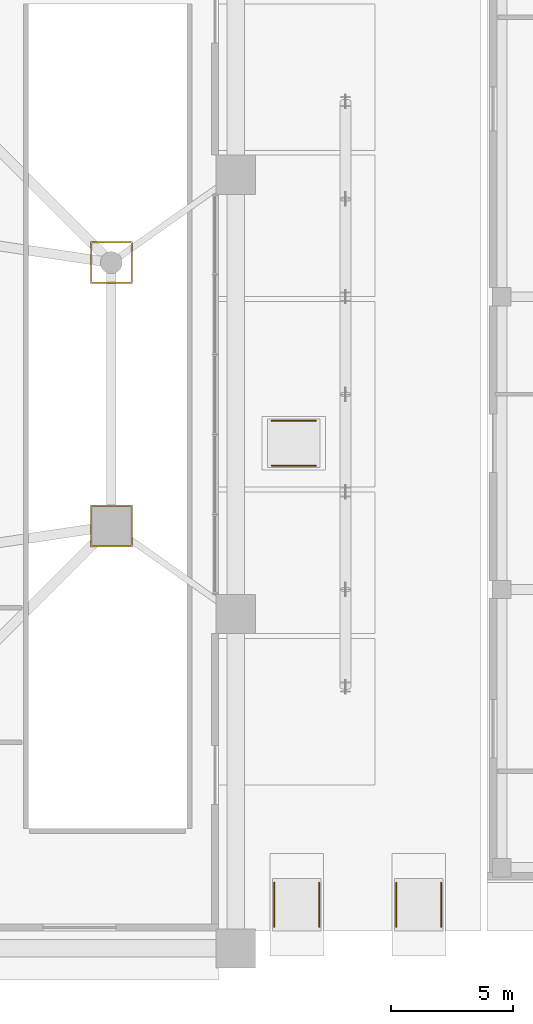
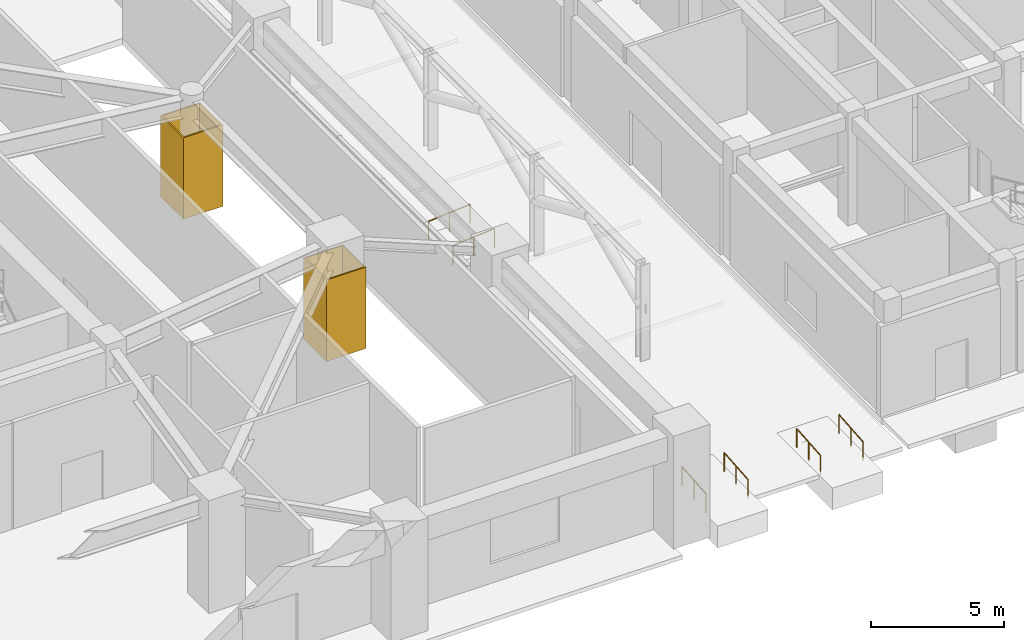
# One storey, part 24 of 27: 6 railings, 2 coverings.
"""IFC4 building model written with IfcOpenShell, lengths in metres."""

from ifc_helpers import new_model, si_unit, direction, frame, origin, origin_2d, place, context, subcontext, project, spatial, polyline, circle, outline, extrude, material, layer, layer_set, type_object, element, save


model = new_model("IFC4")

# Units and contexts
model_context = context("Model", 3, precision=1e-05, world=origin(), true_north=direction((0.0, 1.0)))
body_context = subcontext(model_context, "Body", "Model", "MODEL_VIEW")
ifc_project = project(units=[si_unit("LENGTHUNIT", "METRE"), si_unit("AREAUNIT", "SQUARE_METRE"), si_unit("VOLUMEUNIT", "CUBIC_METRE"), si_unit("PLANEANGLEUNIT", "RADIAN"), si_unit("MASSUNIT", "GRAM", prefix="KILO")], contexts=[model_context])

# Site, building, storey
site_placement = place(None, origin())
site = spatial("IfcSite", under=ifc_project, at=site_placement, CompositionType="ELEMENT")
building_placement = place(site_placement, origin())
building = spatial("IfcBuilding", under=site, at=building_placement, Name="Veraguas Prism Commons", CompositionType="ELEMENT")
storey_placement = place(building_placement, origin())
storey = spatial("IfcBuildingStorey", under=building, at=storey_placement, Name="L00", CompositionType="ELEMENT", Elevation=0.0)

# Coverings
ifc_material_1 = material(Name="Anodised aluminium EN AW-6063 T6", Category="aluminium")
ifc_layer = layer(ifc_material_1, 0.014892578125, Name="Pale-Metal Column Cladding Casing 15", Category="aluminium")
ifc_layer_set = layer_set([ifc_layer], Name="Anodised aluminium EN AW-6063 T6")
covering_type = type_object("IfcCoveringType", Name="Pale-Metal Column Cladding Casing 15", PredefinedType="CLADDING", material=ifc_layer_set)
covering_1_placement = place(storey_placement, origin())
element("IfcCovering", 1, at=covering_1_placement, inside=storey, type_object=covering_type, Name="Concourse Column Pale-Metal Cladding 01", PredefinedType="CLADDING", context=body_context, shape_type="SweptSolid", body=[
    extrude(outline(polyline([(40.739990234375, 17.739990234375), (42.4599609375, 17.739990234375), (42.4599609375, 19.4599609375), (40.739990234375, 19.4599609375), (40.739990234375, 17.739990234375)]), holes=[polyline([(40.800048828125, 17.800048828125), (42.39990234375, 17.800048828125), (42.39990234375, 19.39990234375), (40.800048828125, 19.39990234375), (40.800048828125, 17.800048828125)])]), origin(), (0.0, 0.0, 1.0), 3.75),
])
covering_2_placement = place(storey_placement, origin())
element("IfcCovering", 2, at=covering_2_placement, inside=storey, type_object=covering_type, Name="Concourse Column Pale-Metal Cladding 02", PredefinedType="CLADDING", context=body_context, shape_type="SweptSolid", body=[
    extrude(outline(polyline([(40.739990234375, 28.5400390625), (42.4599609375, 28.5400390625), (42.4599609375, 30.260009765625), (40.739990234375, 30.260009765625), (40.739990234375, 28.5400390625)]), holes=[polyline([(40.800048828125, 28.60009765625), (42.39990234375, 28.60009765625), (42.39990234375, 30.199951171875), (40.800048828125, 30.199951171875), (40.800048828125, 28.60009765625)])]), origin(), (0.0, 0.0, 1.0), 3.75),
])

# Railings
ifc_material_2 = material(Name="Stainless steel AISI 316", Category="steel")
railing_type = type_object("IfcRailingType", Name="Stair and Ramp Stainless Handrail 900", PredefinedType="HANDRAIL", material=ifc_material_2)
for number, where, name in (
    (3, (50.1201171875, 2.179931640625, -0.1650390625), "Accessible Ramp Handrail AC01-L"),
    (4, (48.280029296875, 2.179931640625, -0.1650390625), "Accessible Ramp Handrail AC01-R"),
    (5, (55.1201171875, 2.179931640625, -0.1650390625), "Accessible Ramp Handrail AC03-L"),
    (6, (53.280029296875, 2.179931640625, -0.1650390625), "Accessible Ramp Handrail AC03-R"),
):
    element("IfcRailing", number, at=place(storey_placement, frame(where)), inside=storey, type_object=railing_type, Name=name, PredefinedType="HANDRAIL", context=body_context, shape_type="SweptSolid", body=[
        extrude(circle(Radius=0.02392578125, at=origin_2d()), frame((0.0, 0.0, 0.8759765625), z_axis=(0.0, 0.996539230174, 0.083123779541), x_axis=(-1.0, 0.0, 0.0)), (0.0, 0.0, 1.0), 1.806396484375),
        extrude(circle(Radius=0.02099609375, at=origin_2d()), origin(), (0.0, 0.0, 1.0), 0.851806640625),
        extrude(circle(Radius=0.02099609375, at=origin_2d()), frame((0.0, 0.89990234375, 0.0751953125)), (0.0, 0.0, 1.0), 0.851806640625),
        extrude(circle(Radius=0.02099609375, at=origin_2d()), frame((0.0, 1.800048828125, 0.150146484375)), (0.0, 0.0, 1.0), 0.851806640625),
    ])
for number, where, name in (
    (7, (48.179931640625, 21.080078125, -0.1650390625), "Accessible Ramp Handrail AC05-L"),
    (8, (48.179931640625, 22.919921875, -0.1650390625), "Accessible Ramp Handrail AC05-R"),
):
    element("IfcRailing", number, at=place(storey_placement, frame(where)), inside=storey, type_object=railing_type, Name=name, PredefinedType="HANDRAIL", context=body_context, shape_type="SweptSolid", body=[
        extrude(circle(Radius=0.02392578125, at=origin_2d()), frame((0.0, 0.0, 0.8759765625), z_axis=(0.996539230174, 0.0, 0.083123779541), x_axis=(0.0, 1.0, 0.0)), (0.0, 0.0, 1.0), 1.806396484375),
        extrude(circle(Radius=0.02099609375, at=origin_2d()), origin(), (0.0, 0.0, 1.0), 0.851806640625),
        extrude(circle(Radius=0.02099609375, at=origin_2d()), frame((0.89990234375, 0.0, 0.0751953125)), (0.0, 0.0, 1.0), 0.851806640625),
        extrude(circle(Radius=0.02099609375, at=origin_2d()), frame((1.800048828125, 0.0, 0.150146484375)), (0.0, 0.0, 1.0), 0.851806640625),
    ])

save(model, "model.ifc")
